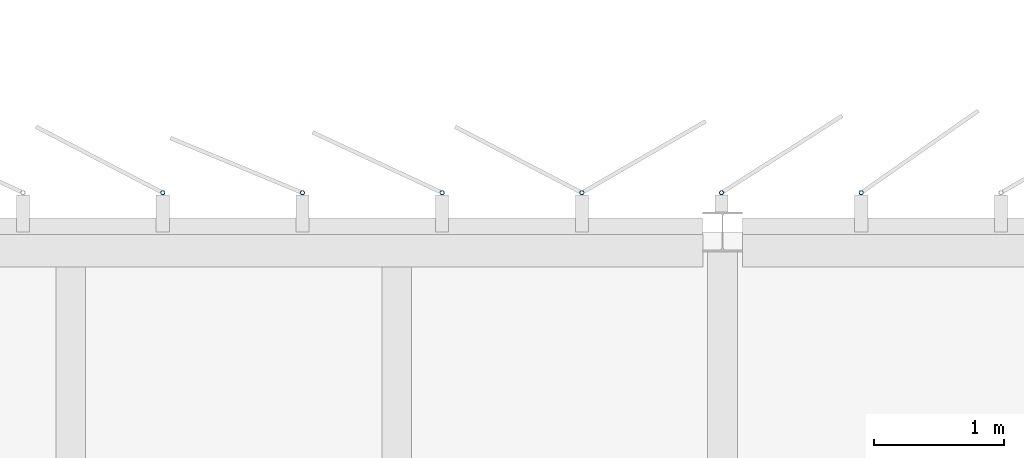
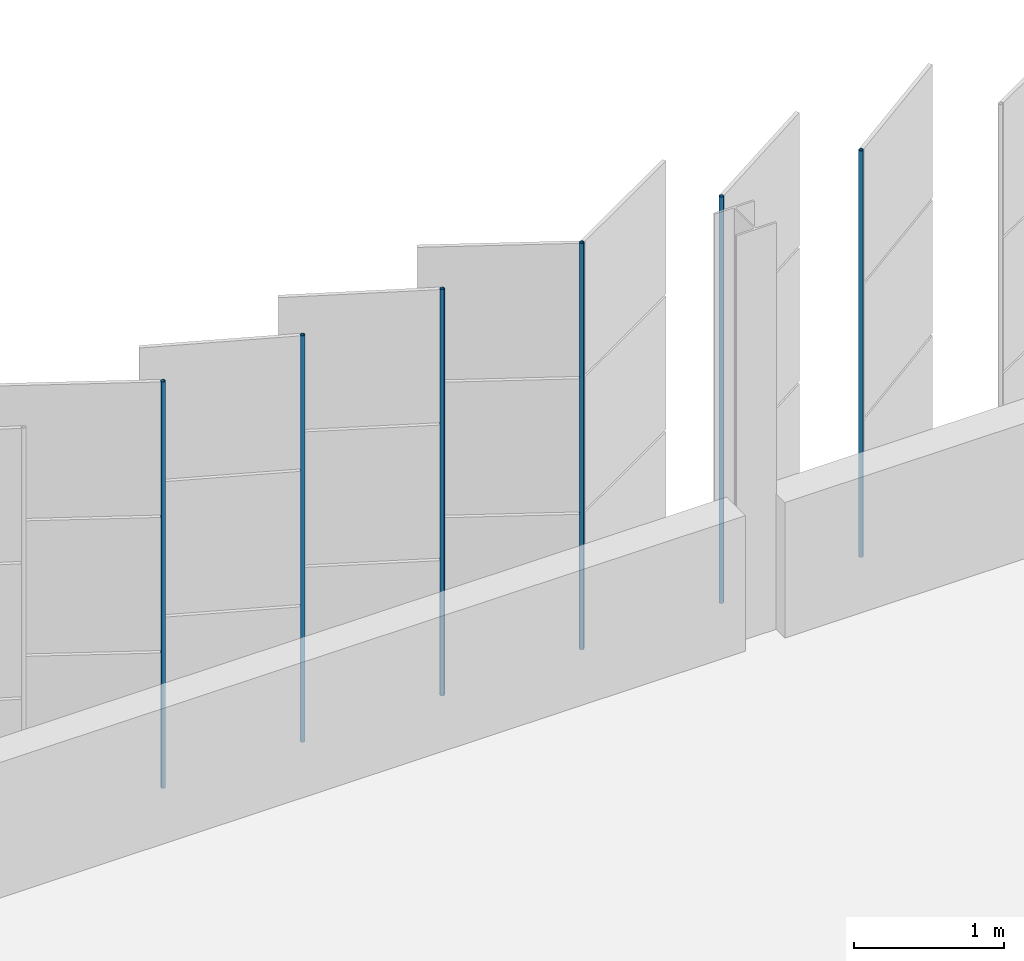
# One storey, part 143 of 199: 6 discrete accessories.
"""IFC4 building model written with IfcOpenShell, lengths in metres."""

from ifc_helpers import new_model, si_unit, direction, frame, origin, origin_2d, place, context, subcontext, project, spatial, hollow_circle, extrude, material, material_profile, profile_set, type_object, element, save


model = new_model("IFC4")

# Units and contexts
model_context = context("Model", 3, precision=1e-05, world=origin(), true_north=direction((0.0, 1.0)))
body_context = subcontext(model_context, "Body", "Model", "MODEL_VIEW")
ifc_project = project(units=[si_unit("LENGTHUNIT", "METRE"), si_unit("AREAUNIT", "SQUARE_METRE"), si_unit("VOLUMEUNIT", "CUBIC_METRE"), si_unit("PLANEANGLEUNIT", "RADIAN"), si_unit("MASSUNIT", "GRAM", prefix="KILO")], contexts=[model_context])

# Site, building, storey
site_placement = place(None, origin())
site = spatial("IfcSite", under=ifc_project, at=site_placement, CompositionType="ELEMENT")
building_placement = place(site_placement, origin())
building = spatial("IfcBuilding", under=site, at=building_placement, Name="Parallax Yard Mobility Hub", CompositionType="ELEMENT")
storey_placement = place(building_placement, frame((0.0, 0.0, 9.89990234375)))
storey = spatial("IfcBuildingStorey", under=building, at=storey_placement, Name="L03", CompositionType="ELEMENT", Elevation=9.89990234375)

# Discrete accessories
ifc_material = material(Name="Steel ASTM A500 Gr C, hot-dip galvanised", Category="steel")
ifc_material_profile = material_profile(ifc_material, hollow_circle(Radius=0.016845703125, WallThickness=0.003173828125, at=origin_2d()), Name="CHS 33.7x3.2")
ifc_profile_set = profile_set([ifc_material_profile], Name="Steel ASTM A500 Gr C, hot-dip galvanised")
discrete_accessory_type = type_object("IfcDiscreteAccessoryType", Name="Hinge post CHS 33.7x3.2", PredefinedType="BRACKET", material=ifc_profile_set)
for number, where, z_axis, x_axis, name in (
    (1, (91.063720703125, 142.800048828125, 0.0), (0.0, 0.0, 1.0), (1.0, 0.0, 0.0), "Hinge post bay 61.7 level L03"),
    (2, (89.9921875, 142.800048828125, 0.0), (0.0, 0.0, 1.0), (1.0, 0.0, 0.0), "Hinge post bay 62.1 level L03"),
    (3, (88.92041015625, 142.800048828125, 0.0), (0.0, 0.0, 1.0), (1.0, 0.0, 0.0), "Hinge post bay 62.2 level L03"),
    (4, (87.84912109375, 142.800048828125, 0.0), (0.0, 0.0, 1.0), (1.0, 0.0, 0.0), "Hinge post bay 62.3 level L03"),
    (5, (86.77734375, 142.800048828125, 0.0), (0.0, 0.0, 1.0), (1.0, 0.0, 0.0), "Hinge post bay 62.4 level L03"),
    (6, (85.705810546875, 142.800048828125, 0.0), (0.0, 0.0, 1.0), (1.0, 0.0, 0.0), "Hinge post bay 62.5 level L03"),
):
    element("IfcDiscreteAccessory", number, at=place(storey_placement, frame(where, z_axis=z_axis, x_axis=x_axis)), inside=storey, type_object=discrete_accessory_type, Name=name, PredefinedType="BRACKET", context=body_context, shape_type="SweptSolid", body=[
        extrude(hollow_circle(Radius=0.016845703125, WallThickness=0.003173828125, at=origin_2d()), origin(), (0.0, 0.0, 1.0), 3.300048828125),
    ])

save(model, "model.ifc")
